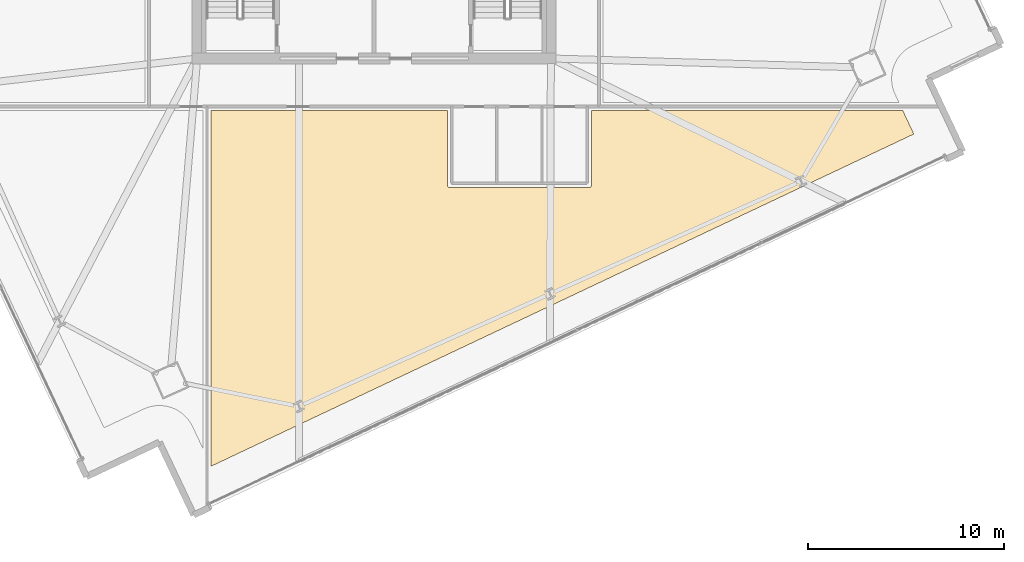
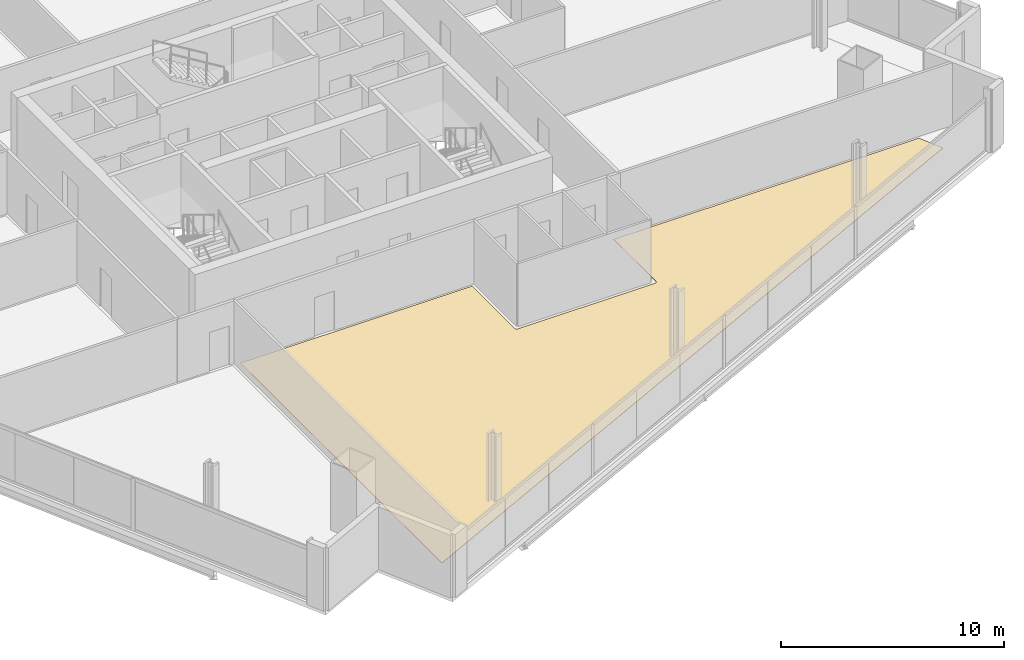
# One storey, part 30 of 34: 1 covering.
"""IFC4 building model written with IfcOpenShell, lengths in metres."""

import ifcopenshell
import ifcopenshell.guid

model = None  # the IFC model being written
_history = None  # IfcOwnerHistory: only IFC2X3 demands one
_inside = {}  # id of a spatial element -> (the spatial element, [elements in it])
_under = {}  # id of a project, library or spatial element -> (it, [spatial elements below it])
_declared = {}  # id of a project -> (the project, [libraries it declares])
_typed = {}  # id of a type object -> (the type object, [elements of that type])
_made_of = {}  # id of a material, layer set ... -> (it, [elements and type objects made of it])


def new_model(schema):
    """Start an empty IFC model of exactly this schema.

    Asked for "IFC4X3", IfcOpenShell would pick the latest addendum, in which some entities
    have other attributes; the version numbers below select the first issue.
    IFC2X3 requires an IfcOwnerHistory on every rooted entity: one is made here for all.
    """
    global model, _history
    if schema == "IFC4X3":
        model = ifcopenshell.file(schema_version=(4, 3, 0, 0))
    else:
        model = ifcopenshell.file(schema=schema)
    _inside.clear()
    _under.clear()
    _declared.clear()
    _typed.clear()
    _made_of.clear()
    _history = None
    if model.schema == "IFC2X3":
        org = make("IfcOrganization", Name="unknown")
        user = make(
            "IfcPersonAndOrganization",
            ThePerson=make("IfcPerson", FamilyName="unknown"),
            TheOrganization=org,
        )
        app = make(
            "IfcApplication",
            ApplicationDeveloper=org,
            Version="unknown",
            ApplicationFullName="unknown",
            ApplicationIdentifier="unknown",
        )
        _history = make(
            "IfcOwnerHistory",
            OwningUser=user,
            OwningApplication=app,
            ChangeAction="ADDED",
            CreationDate=0,
        )
    return model


def make(cls, **values):
    """One entity of the class cls with the attributes given. An attribute that is None is left unset."""
    return model.create_entity(
        cls, **{name: value for name, value in values.items() if value is not None}
    )


def rooted(cls, **values):
    """An entity with a GlobalId (a new one), such as an element, a storey or a relation."""
    return make(cls, GlobalId=ifcopenshell.guid.new(), OwnerHistory=_history, **values)


def si_unit(unit_type, name, prefix=None):
    """IfcSIUnit, for example si_unit("LENGTHUNIT", "METRE", prefix="MILLI")."""
    return make("IfcSIUnit", UnitType=unit_type, Prefix=prefix, Name=name)


def assignment(units):
    """IfcUnitAssignment: the units of a project."""
    return None if units is None else make("IfcUnitAssignment", Units=units)


def point(xyz):
    """IfcCartesianPoint."""
    return None if xyz is None else make("IfcCartesianPoint", Coordinates=xyz)


def direction(xyz):
    """IfcDirection."""
    return None if xyz is None else make("IfcDirection", DirectionRatios=xyz)


def frame(location, z_axis=None, x_axis=None):
    """IfcAxis2Placement3D, a coordinate frame: its origin and axes. An axis left out is left unset."""
    return make(
        "IfcAxis2Placement3D",
        Location=point(location),
        Axis=direction(z_axis),
        RefDirection=direction(x_axis),
    )


def origin():
    """The frame at (0, 0, 0) with its axes left unset."""
    return frame((0.0, 0.0, 0.0))


def place(relative_to, where):
    """IfcLocalPlacement: puts the frame where relative to a parent placement (None: the world)."""
    return make(
        "IfcLocalPlacement", PlacementRelTo=relative_to, RelativePlacement=where
    )


def context(
    kind, dimensions, precision=None, world=None, true_north=None, identifier=None
):
    """IfcGeometricRepresentationContext, for example the 3D "Model" context."""
    return make(
        "IfcGeometricRepresentationContext",
        ContextIdentifier=identifier,
        ContextType=kind,
        CoordinateSpaceDimension=dimensions,
        Precision=precision,
        WorldCoordinateSystem=world,
        TrueNorth=true_north,
    )


def subcontext(parent, identifier, kind, view, scale=None):
    """IfcGeometricRepresentationSubContext, for example "Body" below "Model"."""
    return make(
        "IfcGeometricRepresentationSubContext",
        ContextIdentifier=identifier,
        ContextType=kind,
        ParentContext=parent,
        TargetScale=scale,
        TargetView=view,
    )


def project(units=None, contexts=None):
    """IfcProject with its units and contexts."""
    return rooted(
        "IfcProject",
        Name="project",
        RepresentationContexts=contexts,
        UnitsInContext=assignment(units),
    )


def spatial(cls, under=None, at=None, **own):
    """A site, building, storey or space (cls), placed at a placement, below another one or the project."""
    s = rooted(cls, ObjectPlacement=at, **own)
    if under is not None:
        _under.setdefault(under.id(), (under, []))[1].append(s)
    return s


def polyline(points):
    """IfcPolyline through the points."""
    return make("IfcPolyline", Points=[point(p) for p in points])


def outline(outer, holes=None, kind="AREA"):
    """IfcArbitraryClosedProfileDef: a profile drawn as a closed curve; with holes, ...WithVoids."""
    if holes is None:
        return make("IfcArbitraryClosedProfileDef", ProfileType=kind, OuterCurve=outer)
    return make(
        "IfcArbitraryProfileDefWithVoids",
        ProfileType=kind,
        OuterCurve=outer,
        InnerCurves=holes,
    )


def extrude(swept, where, along, depth):
    """IfcExtrudedAreaSolid: the profile swept, set in the frame where, extruded along a direction by depth."""
    return make(
        "IfcExtrudedAreaSolid",
        SweptArea=swept,
        Position=where,
        ExtrudedDirection=direction(along),
        Depth=depth,
    )


def shape(context_of_items, identifier, shape_type, items):
    """IfcShapeRepresentation: the items that make up one representation, for example the "Body"."""
    return make(
        "IfcShapeRepresentation",
        ContextOfItems=context_of_items,
        RepresentationIdentifier=identifier,
        RepresentationType=shape_type,
        Items=items,
    )


def material(Name=None, Category=None):
    """IfcMaterial."""
    return make("IfcMaterial", Name=Name, Category=Category)


def layer(
    of_material, thickness, ventilated=None, Name=None, Category=None, Priority=None
):
    """IfcMaterialLayer: one layer of a wall or slab, of a material (None: an air gap)."""
    return make(
        "IfcMaterialLayer",
        Material=of_material,
        LayerThickness=thickness,
        IsVentilated=ventilated,
        Name=Name,
        Category=Category,
        Priority=Priority,
    )


def layer_set(layers, Name=None):
    """IfcMaterialLayerSet."""
    return make("IfcMaterialLayerSet", MaterialLayers=layers, LayerSetName=Name)


def made_of(thing, what):
    """Note that an element or type object is made of a material, layer set ...; save() writes the relation."""
    if what is not None:
        _made_of.setdefault(what.id(), (what, []))[1].append(thing)
    return thing


def type_object(cls, material=None, **own):
    """A type object (cls), such as IfcWallType, which elements share."""
    return made_of(rooted(cls, **own), material)


def element(
    cls,
    number,
    at=None,
    inside=None,
    cuts=None,
    type_object=None,
    material=None,
    context=None,
    identifier="Body",
    shape_type=None,
    held_by="IfcProductDefinitionShape",
    body=None,
    shapes=None,
    **own,
):
    """One element of the class cls, such as IfcWall. Its Tag is "e" and its number.

    at: its placement. inside: the storey or other place that contains it. cuts: it is an
    opening in that element (IfcRelVoidsElement). A single representation is given by context,
    identifier, shape_type and body (its items); several are given by shapes. held_by: the class
    of the entity that holds the representations. save() writes the other relations.
    """
    e = rooted(cls, Tag="e%d" % number, ObjectPlacement=at, **own)
    if body is not None:
        shapes = [shape(context, identifier, shape_type, body)]
    if shapes is not None:
        e.Representation = make(held_by, Representations=shapes)
    if inside is not None:
        _inside.setdefault(inside.id(), (inside, []))[1].append(e)
    if cuts is not None:
        rooted(
            "IfcRelVoidsElement", RelatingBuildingElement=cuts, RelatedOpeningElement=e
        )
    if type_object is not None:
        _typed.setdefault(type_object.id(), (type_object, []))[1].append(e)
    return made_of(e, material)


def aggregate(whole, parts):
    """IfcRelAggregates: a whole, such as a stair, and the parts it consists of."""
    return rooted("IfcRelAggregates", RelatingObject=whole, RelatedObjects=parts)


def save(model, path):
    """Write the relations noted so far, then the file.

    IfcRelAggregates (storeys below a building ...), IfcRelContainedInSpatialStructure (elements
    in a storey), IfcRelDefinesByType, IfcRelAssociatesMaterial and IfcRelDeclares: one each for
    every whole, place, type object, material and project.
    """
    for whole, parts in _under.values():
        aggregate(whole, parts)
    for where, things in _inside.values():
        rooted(
            "IfcRelContainedInSpatialStructure",
            RelatedElements=things,
            RelatingStructure=where,
        )
    for kind, things in _typed.values():
        rooted("IfcRelDefinesByType", RelatedObjects=things, RelatingType=kind)
    for what, things in _made_of.values():
        rooted("IfcRelAssociatesMaterial", RelatedObjects=things, RelatingMaterial=what)
    for by, libraries in _declared.values():
        rooted("IfcRelDeclares", RelatingContext=by, RelatedDefinitions=libraries)
    model.write(path)


model = new_model("IFC4")

# Units and contexts
model_context = context("Model", 3, precision=1e-05, world=origin(), true_north=direction((0.0, 1.0)))
body_context = subcontext(model_context, "Body", "Model", "MODEL_VIEW")
ifc_project = project(units=[si_unit("LENGTHUNIT", "METRE"), si_unit("AREAUNIT", "SQUARE_METRE"), si_unit("VOLUMEUNIT", "CUBIC_METRE"), si_unit("PLANEANGLEUNIT", "RADIAN"), si_unit("MASSUNIT", "GRAM", prefix="KILO")], contexts=[model_context])

# Site, building, storey
site_placement = place(None, origin())
site = spatial("IfcSite", under=ifc_project, at=site_placement, CompositionType="ELEMENT")
building_placement = place(site_placement, origin())
building = spatial("IfcBuilding", under=site, at=building_placement, Name="Haldenkirk Collegiate Tower", CompositionType="ELEMENT")
storey_placement = place(building_placement, frame((0.0, 0.0, 112.949951171875)))
storey = spatial("IfcBuildingStorey", under=building, at=storey_placement, Name="L27", CompositionType="ELEMENT", Elevation=112.949951171875)

# Covering
ifc_material = material(Name="Engineered collegiate oak acoustic flooring", Category="wood")
ifc_layer = layer(ifc_material, 0.02197265625)
ifc_layer_set = layer_set([ifc_layer], Name="Engineered collegiate oak acoustic flooring")
covering_type = type_object("IfcCoveringType", Name="COV-FLOOR-TIMBER", PredefinedType="FLOORING", material=ifc_layer_set)
covering_placement = place(storey_placement, origin())
element("IfcCovering", 1, at=covering_placement, inside=storey, type_object=covering_type, Name="L27 academic room finish 03", PredefinedType="FLOORING", context=body_context, shape_type="SweptSolid", body=[
    extrude(outline(polyline([(39.72998046875, 11.550048828125), (39.730712890625, 11.5380859375), (39.732421875, 11.526611328125), (39.735107421875, 11.51513671875), (39.739013671875, 11.504150390625), (39.744140625, 11.493408203125), (39.750244140625, 11.4833984375), (39.757080078125, 11.473876953125), (39.76513671875, 11.465087890625), (39.77392578125, 11.457275390625), (39.783203125, 11.4501953125), (39.79345703125, 11.444091796875), (39.80419921875, 11.439208984375), (39.815185546875, 11.435302734375), (39.82666015625, 11.432373046875), (39.838134765625, 11.4306640625), (39.85009765625, 11.429931640625), (46.949951171875, 11.429931640625), (46.9619140625, 11.4306640625), (46.973388671875, 11.432373046875), (46.98486328125, 11.435302734375), (46.995849609375, 11.439208984375), (47.006591796875, 11.444091796875), (47.0166015625, 11.4501953125), (47.026123046875, 11.457275390625), (47.034912109375, 11.465087890625), (47.042724609375, 11.473876953125), (47.0498046875, 11.4833984375), (47.055908203125, 11.493408203125), (47.060791015625, 11.504150390625), (47.064697265625, 11.51513671875), (47.067626953125, 11.526611328125), (47.0693359375, 11.5380859375), (47.070068359375, 11.550048828125), (47.070068359375, 15.35009765625), (62.912841796875, 15.35009765625), (63.47900390625, 14.152099609375), (27.713623046875, -2.75439453125), (27.699951171875, -2.7255859375), (27.699951171875, 15.35009765625), (39.72998046875, 15.35009765625), (39.72998046875, 11.550048828125)])), origin(), (0.0, 0.0, 1.0), 0.02197265625),
])

save(model, "model.ifc")
